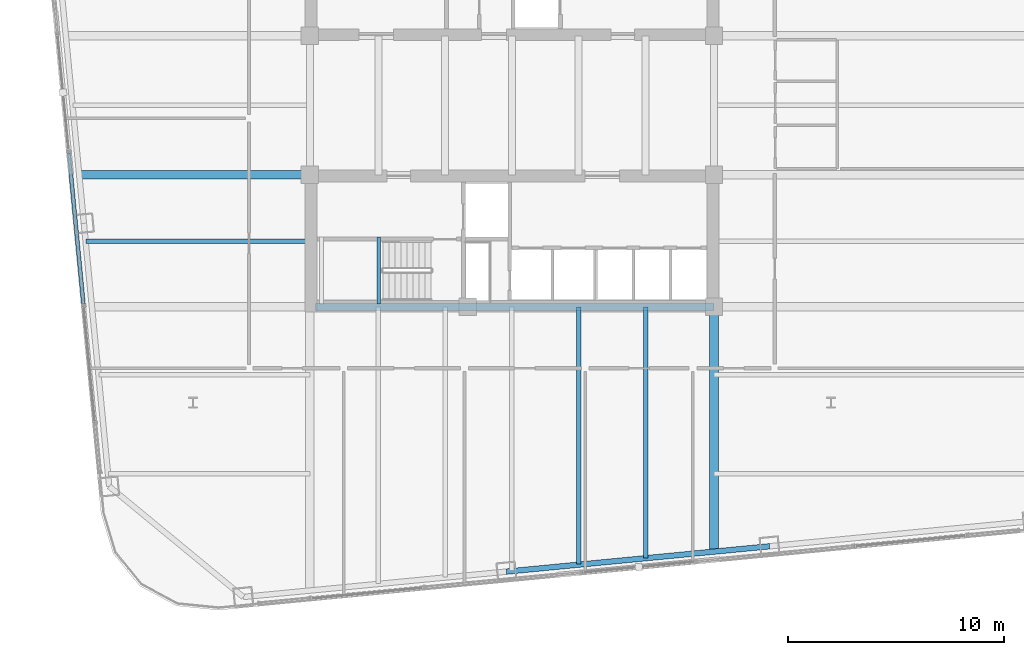
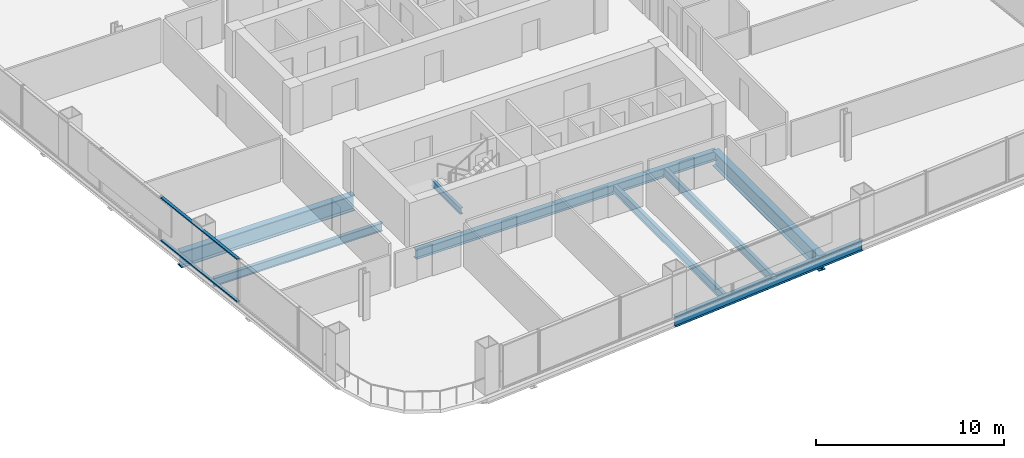
# One storey, part 6 of 27: 8 beams, 2 members, 1 element without a shape of its own.
"""IFC4 building model written with IfcOpenShell, lengths in metres."""

from ifc_helpers import new_model, si_unit, direction, frame, origin, origin_2d, place, context, subcontext, project, spatial, hollow_rectangle, i_section, extrude, material, layer, layer_set, material_profile, profile_set, type_object, element, aggregate, save


model = new_model("IFC4")

# Units and contexts
model_context = context("Model", 3, precision=1e-05, world=origin(), true_north=direction((0.0, 1.0)))
body_context = subcontext(model_context, "Body", "Model", "MODEL_VIEW")
ifc_project = project(units=[si_unit("LENGTHUNIT", "METRE"), si_unit("AREAUNIT", "SQUARE_METRE"), si_unit("VOLUMEUNIT", "CUBIC_METRE"), si_unit("PLANEANGLEUNIT", "RADIAN"), si_unit("MASSUNIT", "GRAM", prefix="KILO")], contexts=[model_context])

# Site, building, storey
site_placement = place(None, origin())
site = spatial("IfcSite", under=ifc_project, at=site_placement, CompositionType="ELEMENT")
building_placement = place(site_placement, origin())
building = spatial("IfcBuilding", under=site, at=building_placement, Name="Qhalaya Broadcast Tower", CompositionType="ELEMENT")
storey_placement = place(building_placement, frame((0.0, 0.0, 84.699951171875)))
storey = spatial("IfcBuildingStorey", under=building, at=storey_placement, Name="L24", CompositionType="ELEMENT", Elevation=84.699951171875)

# Beams
ifc_material_1 = material(Name="Structural Steel ASTM A992 Grade 50", Category="steel")
ifc_material_profile_1 = material_profile(ifc_material_1, i_section(OverallWidth=0.2099609375, OverallDepth=0.535888671875, WebThickness=0.010986328125, FlangeThickness=0.017333984375, at=origin_2d()), Name="W21X68")
ifc_profile_set_1 = profile_set([ifc_material_profile_1], Name="Structural Steel ASTM A992 Grade 50")
beam_type_1 = type_object("IfcBeamType", Name="Composite Floor Joist J02", PredefinedType="JOIST", material=ifc_profile_set_1)
beam_1_placement = place(storey_placement, frame((3.10009765625, -20.693603515625, -0.488037109375), z_axis=(0.0, 1.0, 0.0), x_axis=(-1.0, 0.0, 0.0)))
element("IfcBeam", 1, at=beam_1_placement, inside=storey, type_object=beam_type_1, Name="L24 J02 L24-JNS4-1", PredefinedType="JOIST", context=body_context, shape_type="SweptSolid", body=[
    extrude(i_section(OverallWidth=0.2099609375, OverallDepth=0.535888671875, WebThickness=0.010986328125, FlangeThickness=0.017333984375, at=origin_2d()), origin(), (0.0, 0.0, 1.0), 11.943603515625),
])
beam_2_placement = place(storey_placement, frame((6.199951171875, -20.395263671875, -0.488037109375), z_axis=(0.0, 1.0, 0.0), x_axis=(-1.0, 0.0, 0.0)))
element("IfcBeam", 2, at=beam_2_placement, inside=storey, type_object=beam_type_1, Name="L24 J02 L24-JNS5-1", PredefinedType="JOIST", context=body_context, shape_type="SweptSolid", body=[
    extrude(i_section(OverallWidth=0.2099609375, OverallDepth=0.535888671875, WebThickness=0.010986328125, FlangeThickness=0.017333984375, at=origin_2d()), origin(), (0.0, 0.0, 1.0), 11.645263671875),
])
beam_3_placement = place(storey_placement, frame((-19.76171875, -5.699951171875, -0.488037109375), z_axis=(1.0, 0.0, 0.0), x_axis=(0.0, 1.0, 0.0)))
element("IfcBeam", 3, at=beam_3_placement, inside=storey, type_object=beam_type_1, Name="L24 J02 L24-JWE3W-1", PredefinedType="JOIST", context=body_context, shape_type="SweptSolid", body=[
    extrude(i_section(OverallWidth=0.2099609375, OverallDepth=0.535888671875, WebThickness=0.010986328125, FlangeThickness=0.017333984375, at=origin_2d()), origin(), (0.0, 0.0, 1.0), 10.38671875),
])
ifc_material_profile_2 = material_profile(ifc_material_1, i_section(OverallWidth=0.323974609375, OverallDepth=0.612060546875, WebThickness=0.0126953125, FlangeThickness=0.01904296875, at=origin_2d()), Name="W24X104")
ifc_profile_set_2 = profile_set([ifc_material_profile_2], Name="Structural Steel ASTM A992 Grade 50")
beam_type_2 = type_object("IfcBeamType", Name="Core Frame Tie Beam B04", PredefinedType="BEAM", material=ifc_profile_set_2)
beam_4_placement = place(storey_placement, frame((-9.1201171875, -8.75, -0.52587890625), z_axis=(1.0, 0.0, 0.0), x_axis=(0.0, 1.0, 0.0)))
element("IfcBeam", 4, at=beam_4_placement, inside=storey, type_object=beam_type_2, Name="L24 B04 L24-CCS3", PredefinedType="BEAM", context=body_context, shape_type="SweptSolid", body=[
    extrude(i_section(OverallWidth=0.323974609375, OverallDepth=0.612060546875, WebThickness=0.0126953125, FlangeThickness=0.01904296875, at=origin_2d()), origin(), (0.0, 0.0, 1.0), 18.4951171875),
])
ifc_material_profile_3 = material_profile(ifc_material_1, i_section(OverallWidth=0.40087890625, OverallDepth=1.010986328125, WebThickness=0.023681640625, FlangeThickness=0.0419921875, at=origin_2d()), Name="W40X297")
ifc_profile_set_3 = profile_set([ifc_material_profile_3], Name="Structural Steel ASTM A992 Grade 50")
beam_type_3 = type_object("IfcBeamType", Name="Lower Block Primary Girder PG2", PredefinedType="USERDEFINED", material=ifc_profile_set_3)
beam_5_placement = place(storey_placement, frame((9.375, -20.089599609375, -0.725341796875), z_axis=(0.0, 1.0, 0.0), x_axis=(-1.0, 0.0, 0.0)))
element("IfcBeam", 5, at=beam_5_placement, inside=storey, type_object=beam_type_3, Name="L24 PG2 L24-PGXS2-1", ObjectType="GIRDER", PredefinedType="USERDEFINED", context=body_context, shape_type="SweptSolid", body=[
    extrude(i_section(OverallWidth=0.40087890625, OverallDepth=1.010986328125, WebThickness=0.023681640625, FlangeThickness=0.0419921875, at=origin_2d()), origin(), (0.0, 0.0, 1.0), 11.339599609375),
])
beam_6_placement = place(storey_placement, frame((-20.057861328125, -2.625, -0.725341796875), z_axis=(1.0, 0.0, 0.0), x_axis=(0.0, 1.0, 0.0)))
element("IfcBeam", 6, at=beam_6_placement, inside=storey, type_object=beam_type_3, Name="L24 PG2 L24-PGYW2-1", ObjectType="GIRDER", PredefinedType="USERDEFINED", context=body_context, shape_type="SweptSolid", body=[
    extrude(i_section(OverallWidth=0.40087890625, OverallDepth=1.010986328125, WebThickness=0.023681640625, FlangeThickness=0.0419921875, at=origin_2d()), origin(), (0.0, 0.0, 1.0), 10.682861328125),
])
ifc_material_profile_4 = material_profile(ifc_material_1, i_section(OverallWidth=0.25390625, OverallDepth=0.68310546875, WebThickness=0.012451171875, FlangeThickness=0.01904296875, at=origin_2d()), Name="W27X94")
ifc_profile_set_4 = profile_set([ifc_material_profile_4], Name="Structural Steel ASTM A992 Grade 50")
beam_type_4 = type_object("IfcBeamType", Name="Perimeter Ring Spandrel Beam SP1", PredefinedType="SPANDREL", material=ifc_profile_set_4)
beam_7_placement = place(storey_placement, frame((-0.255126953125, -21.036865234375, -0.5615234375), z_axis=(0.99539563662, 0.095851586307, 0.0), x_axis=(-0.095851586307, 0.99539563662, 0.0)))
element("IfcBeam", 7, at=beam_7_placement, inside=storey, type_object=beam_type_4, Name="L24 SP1 L24-SPR-02", PredefinedType="SPANDREL", context=body_context, shape_type="SweptSolid", body=[
    extrude(i_section(OverallWidth=0.25390625, OverallDepth=0.68310546875, WebThickness=0.012451171875, FlangeThickness=0.01904296875, at=origin_2d()), origin(), (0.0, 0.0, 1.0), 12.2666015625),
])

# Curtain wall, members
ifc_material_2 = material(Name="Fired Architectural Terracotta", Category="masonry")
ifc_layer = layer(ifc_material_2, 0.219970703125, Name="Fired Architectural Terracotta")
ifc_layer_set = layer_set([ifc_layer], Name="Fired Architectural Terracotta")
curtain_wall_type = type_object("IfcCurtainWallType", Name="Block-Cap Unitised Terracotta Spandrel Wall CW-07", PredefinedType="NOTDEFINED", material=ifc_layer_set)
curtain_wall_placement = place(storey_placement, origin())
curtain_wall = element("IfcCurtainWall", 8, at=curtain_wall_placement, inside=storey, type_object=curtain_wall_type, Name="L24 Unitised Curtain Wall L24-CW-W5", PredefinedType="NOTDEFINED")
ifc_material_3 = material(Name="Anodised Aluminium 6063-T6", Category="aluminium")
ifc_material_profile_5 = material_profile(ifc_material_3, hollow_rectangle(XDim=0.074951171875, YDim=0.179931640625, WallThickness=0.00390625, at=origin_2d()), Name="ALU-TRN 75x180x4")
ifc_profile_set_5 = profile_set([ifc_material_profile_5], Name="Anodised Aluminium 6063-T6")
member_type = type_object("IfcMemberType", Name="Unitised Curtain-Wall Transom T01", PredefinedType="USERDEFINED", material=ifc_profile_set_5)
member_1_placement = place(storey_placement, frame((-20.55712890625, -1.611328125, 0.03759765625), z_axis=(0.095838119582, -0.995396933306, 0.0), x_axis=(0.0, 0.0, 1.0)))
member_1 = element("IfcMember", 9, at=member_1_placement, type_object=member_type, Name="CW-07 transom 1.1", ObjectType="TRANSOM", PredefinedType="USERDEFINED", context=body_context, shape_type="SweptSolid", body=[
    extrude(hollow_rectangle(XDim=0.074951171875, YDim=0.179931640625, WallThickness=0.00390625, at=origin_2d()), origin(), (0.0, 0.0, 1.0), 7.031005859375),
])
member_2_placement = place(storey_placement, frame((-20.55712890625, -1.611328125, 2.79248046875), z_axis=(0.095838119582, -0.995396933306, 0.0), x_axis=(0.0, 0.0, 1.0)))
member_2 = element("IfcMember", 10, at=member_2_placement, type_object=member_type, Name="CW-07 transom 1.2", ObjectType="TRANSOM", PredefinedType="USERDEFINED", context=body_context, shape_type="SweptSolid", body=[
    extrude(hollow_rectangle(XDim=0.074951171875, YDim=0.179931640625, WallThickness=0.00390625, at=origin_2d()), origin(), (0.0, 0.0, 1.0), 7.031005859375),
])
aggregate(curtain_wall, [member_1, member_2])

# Beam
ifc_material_profile_6 = material_profile(ifc_material_1, i_section(OverallWidth=0.177978515625, OverallDepth=0.406005859375, WebThickness=0.0078125, FlangeThickness=0.0126953125, at=origin_2d()), Name="W16X40")
ifc_profile_set_6 = profile_set([ifc_material_profile_6], Name="Structural Steel ASTM A992 Grade 50")
beam_type_5 = type_object("IfcBeamType", Name="Upper Perimeter Spandrel Beam SP2", PredefinedType="SPANDREL", material=ifc_profile_set_6)
beam_8_placement = place(storey_placement, frame((-6.175048828125, -8.6201171875, 1.1220703125), z_axis=(0.0, 1.0, 0.0), x_axis=(-1.0, 0.0, 0.0)))
element("IfcBeam", 11, at=beam_8_placement, inside=storey, type_object=beam_type_5, Name="L24 ST-2 Half-Landing Bearer Beam 2", PredefinedType="SPANDREL", context=body_context, shape_type="SweptSolid", body=[
    extrude(i_section(OverallWidth=0.177978515625, OverallDepth=0.406005859375, WebThickness=0.0078125, FlangeThickness=0.0126953125, at=origin_2d()), origin(), (0.0, 0.0, 1.0), 3.1201171875),
])

save(model, "model.ifc")
